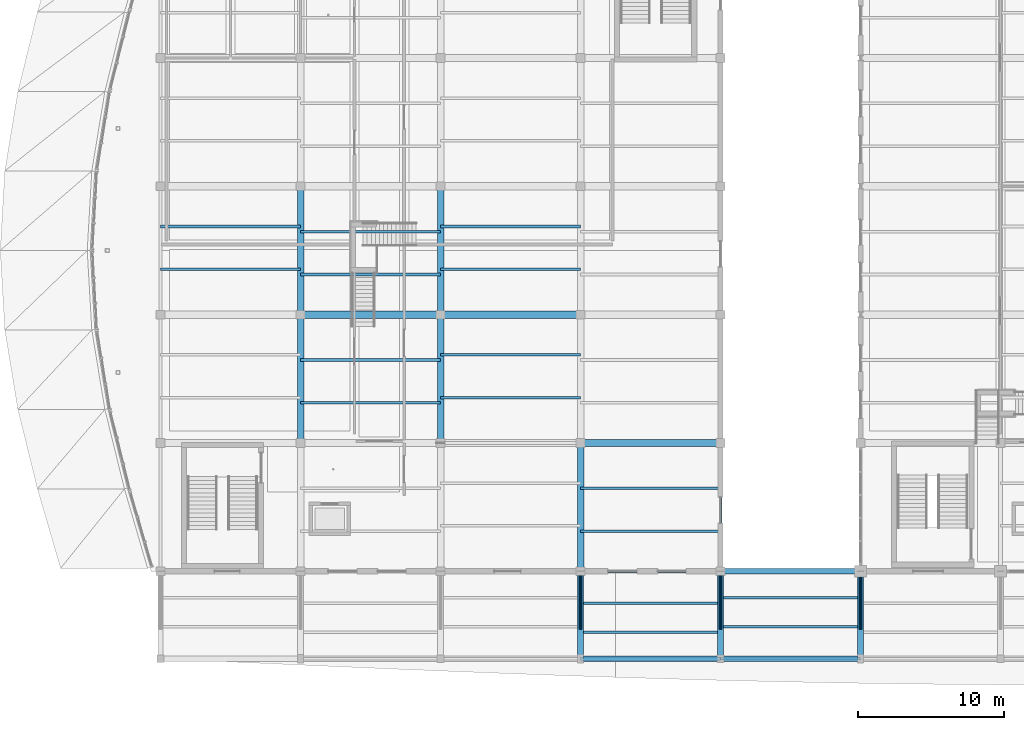
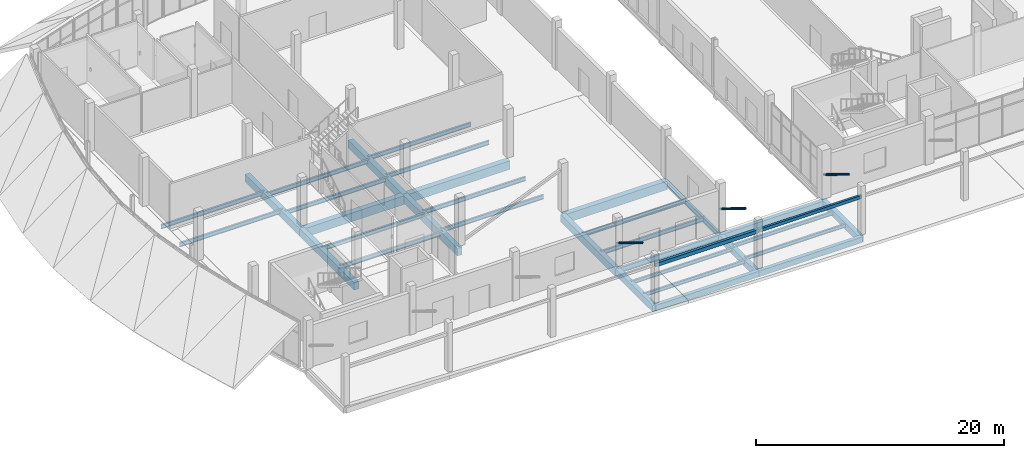
# One storey, part 22 of 116: 34 beams, 3 members.
"""IFC4 building model written with IfcOpenShell, lengths in metres."""

from ifc_helpers import new_model, si_unit, direction, frame, origin, origin_2d, place, context, subcontext, project, spatial, rectangle, hollow_rectangle, hollow_circle, i_section, extrude, material, material_profile, profile_set, type_object, element, save


model = new_model("IFC4")

# Units and contexts
model_context = context("Model", 3, precision=1e-05, world=origin(), true_north=direction((0.0, 1.0)))
body_context = subcontext(model_context, "Body", "Model", "MODEL_VIEW")
ifc_project = project(units=[si_unit("LENGTHUNIT", "METRE"), si_unit("AREAUNIT", "SQUARE_METRE"), si_unit("VOLUMEUNIT", "CUBIC_METRE"), si_unit("PLANEANGLEUNIT", "RADIAN"), si_unit("MASSUNIT", "GRAM", prefix="KILO")], contexts=[model_context])

# Site, building, storey
site_placement = place(None, origin())
site = spatial("IfcSite", under=ifc_project, at=site_placement, CompositionType="ELEMENT")
building_placement = place(site_placement, origin())
building = spatial("IfcBuilding", under=site, at=building_placement, Name="Chalmorin Arch Market", CompositionType="ELEMENT")
storey_placement = place(building_placement, origin())
storey = spatial("IfcBuildingStorey", under=building, at=storey_placement, Name="L00", CompositionType="ELEMENT", Elevation=0.0)

# Beams
ifc_material_1 = material(Name="Concrete C40/50", Category="concrete")
ifc_material_profile_1 = material_profile(ifc_material_1, rectangle(XDim=0.449951171875, YDim=0.75, at=origin_2d()), Name="RC450X750")
ifc_profile_set_1 = profile_set([ifc_material_profile_1], Name="Concrete C40/50")
beam_type_1 = type_object("IfcBeamType", Name="BasementConcreteGirder-450x750", PredefinedType="BEAM", material=ifc_profile_set_1)
beam_1_placement = place(storey_placement, frame((9.60009765625, 14.800048828125, -0.72705078125), z_axis=(0.0, 1.0, 0.0), x_axis=(-1.0, 0.0, 0.0)))
element("IfcBeam", 1, at=beam_1_placement, inside=storey, type_object=beam_type_1, Name="BG-RC2-0207", PredefinedType="BEAM", context=body_context, shape_type="SweptSolid", body=[
    extrude(rectangle(XDim=0.449951171875, YDim=0.75, at=origin_2d()), origin(), (0.0, 0.0, 1.0), 8.800048828125),
])
beam_2_placement = place(storey_placement, frame((9.60009765625, 23.60009765625, -0.72705078125), z_axis=(0.0, 1.0, 0.0), x_axis=(-1.0, 0.0, 0.0)))
element("IfcBeam", 2, at=beam_2_placement, inside=storey, type_object=beam_type_1, Name="BG-RC2-0210", PredefinedType="BEAM", context=body_context, shape_type="SweptSolid", body=[
    extrude(rectangle(XDim=0.449951171875, YDim=0.75, at=origin_2d()), origin(), (0.0, 0.0, 1.0), 8.7998046875),
])
beam_3_placement = place(storey_placement, frame((19.199951171875, 14.800048828125, -0.72705078125), z_axis=(0.0, 1.0, 0.0), x_axis=(-1.0, 0.0, 0.0)))
element("IfcBeam", 3, at=beam_3_placement, inside=storey, type_object=beam_type_1, Name="BG-RC2-0221", PredefinedType="BEAM", context=body_context, shape_type="SweptSolid", body=[
    extrude(rectangle(XDim=0.449951171875, YDim=0.75, at=origin_2d()), origin(), (0.0, 0.0, 1.0), 8.800048828125),
])
beam_4_placement = place(storey_placement, frame((19.199951171875, 23.60009765625, -0.72705078125), z_axis=(0.0, 1.0, 0.0), x_axis=(-1.0, 0.0, 0.0)))
element("IfcBeam", 4, at=beam_4_placement, inside=storey, type_object=beam_type_1, Name="BG-RC2-0223", PredefinedType="BEAM", context=body_context, shape_type="SweptSolid", body=[
    extrude(rectangle(XDim=0.449951171875, YDim=0.75, at=origin_2d()), origin(), (0.0, 0.0, 1.0), 8.7998046875),
])
beam_5_placement = place(storey_placement, frame((28.800048828125, 6.0, -0.72705078125), z_axis=(0.0, 1.0, 0.0), x_axis=(-1.0, 0.0, 0.0)))
element("IfcBeam", 5, at=beam_5_placement, inside=storey, type_object=beam_type_1, Name="BG-RC2-0230", PredefinedType="BEAM", context=body_context, shape_type="SweptSolid", body=[
    extrude(rectangle(XDim=0.449951171875, YDim=0.75, at=origin_2d()), origin(), (0.0, 0.0, 1.0), 8.800048828125),
])

# Members
ifc_material_2 = material(Name="Steel A500 Grade C", Category="steel")
ifc_material_profile_2 = material_profile(ifc_material_2, hollow_circle(Radius=0.109619140625, WallThickness=0.00830078125, at=origin_2d()), Name="CHS219X8")
ifc_profile_set_2 = profile_set([ifc_material_profile_2], Name="Steel A500 Grade C")
member_type = type_object("IfcMemberType", Name="CanopyRakingStrut-CHS219", PredefinedType="STRUT", material=ifc_profile_set_2)
for number, where, z_axis, x_axis, name in (
    (6, (28.800048828125, 6.0, 2.10009765625), (0.0, -0.852698951307, 0.522402621012), (1.0, 0.0, 0.0), "ST-CH219-0004"),
    (7, (38.39990234375, 6.0, 2.10009765625), (0.0, -0.852698951307, 0.522402621012), (1.0, 0.0, 0.0), "ST-CH219-0005"),
    (8, (48.0, 6.0, 2.10009765625), (0.0, -0.852698951307, 0.522402621012), (1.0, 0.0, 0.0), "ST-CH219-0006"),
):
    element("IfcMember", number, at=place(storey_placement, frame(where, z_axis=z_axis, x_axis=x_axis)), inside=storey, type_object=member_type, Name=name, PredefinedType="STRUT", context=body_context, shape_type="SweptSolid", body=[
        extrude(hollow_circle(Radius=0.109619140625, WallThickness=0.00830078125, at=origin_2d()), origin(), (0.0, 0.0, 1.0), 4.63232421875),
    ])

# Beams
ifc_material_profile_3 = material_profile(ifc_material_1, rectangle(XDim=0.39990234375, YDim=0.64990234375, at=origin_2d()), Name="RC400X650")
ifc_profile_set_3 = profile_set([ifc_material_profile_3], Name="Concrete C40/50")
beam_type_2 = type_object("IfcBeamType", Name="MezzanineConcreteBeam-400x650", PredefinedType="BEAM", material=ifc_profile_set_3)
for number, where, z_axis, x_axis, name in (
    (9, (28.800048828125, 0.0, -0.677001953125), (0.0, 1.0, 0.0), (-1.0, 0.0, 0.0), "BM-RC3-0552"),
    (10, (38.39990234375, 0.0, -0.677001953125), (0.0, 1.0, 0.0), (-1.0, 0.0, 0.0), "BM-RC3-0554"),
    (11, (48.0, 0.0, -0.626953125), (0.0, 1.0, 0.0), (-1.0, 0.0, 0.0), "BM-RC3-0557"),
):
    element("IfcBeam", number, at=place(storey_placement, frame(where, z_axis=z_axis, x_axis=x_axis)), inside=storey, type_object=beam_type_2, Name=name, PredefinedType="BEAM", context=body_context, shape_type="SweptSolid", body=[
        extrude(rectangle(XDim=0.39990234375, YDim=0.64990234375, at=origin_2d()), origin(), (0.0, 0.0, 1.0), 6.0),
    ])
ifc_material_profile_4 = material_profile(ifc_material_2, hollow_rectangle(XDim=0.203125, YDim=0.3046875, WallThickness=0.01171875, at=origin_2d()), Name="HSS12X8X1/2")
ifc_profile_set_4 = profile_set([ifc_material_profile_4], Name="Steel A500 Grade C")
beam_type_3 = type_object("IfcBeamType", Name="OpeningLintelBeam-HSS12X8", PredefinedType="LINTEL", material=ifc_profile_set_4)
beam_6_placement = place(storey_placement, frame((38.39990234375, 0.0, 3.60009765625), z_axis=(1.0, 0.0, 0.0), x_axis=(0.0, 1.0, 0.0)))
element("IfcBeam", 12, at=beam_6_placement, inside=storey, type_object=beam_type_3, Name="LN-02-1760", PredefinedType="LINTEL", context=body_context, shape_type="SweptSolid", body=[
    extrude(hollow_rectangle(XDim=0.203125, YDim=0.3046875, WallThickness=0.01171875, at=origin_2d()), origin(), (0.0, 0.0, 1.0), 9.60009765625),
])
ifc_material_3 = material(Name="Steel A992 Grade 50", Category="steel")
ifc_material_profile_5 = material_profile(ifc_material_3, i_section(OverallWidth=0.208984375, OverallDepth=0.532958984375, WebThickness=0.01025390625, FlangeThickness=0.015625, FilletRadius=0.02197265625, at=origin_2d()), Name="W21X62")
ifc_profile_set_5 = profile_set([ifc_material_profile_5], Name="Steel A992 Grade 50")
beam_type_4 = type_object("IfcBeamType", Name="PerimeterSpandrelBeam-W21X62", PredefinedType="SPANDREL", material=ifc_profile_set_5)
beam_7_placement = place(storey_placement, frame((28.800048828125, 6.0, -0.618408203125), z_axis=(1.0, 0.0, 0.0), x_axis=(0.0, 1.0, 0.0)))
element("IfcBeam", 13, at=beam_7_placement, inside=storey, type_object=beam_type_4, Name="SP-W21-0239", PredefinedType="SPANDREL", context=body_context, shape_type="SweptSolid", body=[
    extrude(i_section(OverallWidth=0.208984375, OverallDepth=0.532958984375, WebThickness=0.01025390625, FlangeThickness=0.015625, FilletRadius=0.02197265625, at=origin_2d()), origin(), (0.0, 0.0, 1.0), 9.599853515625),
])
beam_8_placement = place(storey_placement, frame((38.39990234375, 6.0, -0.618408203125), z_axis=(0.0, 1.0, 0.0), x_axis=(-1.0, 0.0, 0.0)))
element("IfcBeam", 14, at=beam_8_placement, inside=storey, type_object=beam_type_4, Name="SP-W21-0241", PredefinedType="SPANDREL", context=body_context, shape_type="SweptSolid", body=[
    extrude(i_section(OverallWidth=0.208984375, OverallDepth=0.532958984375, WebThickness=0.01025390625, FlangeThickness=0.015625, FilletRadius=0.02197265625, at=origin_2d()), origin(), (0.0, 0.0, 1.0), 8.800048828125),
])
ifc_material_profile_6 = material_profile(ifc_material_1, rectangle(XDim=0.5, YDim=0.85009765625, at=origin_2d()), Name="RC500X850")
ifc_profile_set_6 = profile_set([ifc_material_profile_6], Name="Concrete C40/50")
beam_type_5 = type_object("IfcBeamType", Name="PlinthConcreteGirder-500x850", PredefinedType="BEAM", material=ifc_profile_set_6)
beam_9_placement = place(storey_placement, frame((9.60009765625, 23.60009765625, -0.777099609375), z_axis=(1.0, 0.0, 0.0), x_axis=(0.0, 1.0, 0.0)))
element("IfcBeam", 15, at=beam_9_placement, inside=storey, type_object=beam_type_5, Name="BG-RC1-0220", PredefinedType="BEAM", context=body_context, shape_type="SweptSolid", body=[
    extrude(rectangle(XDim=0.5, YDim=0.85009765625, at=origin_2d()), origin(), (0.0, 0.0, 1.0), 9.599853515625),
])
beam_10_placement = place(storey_placement, frame((19.199951171875, 23.60009765625, -0.777099609375), z_axis=(1.0, 0.0, 0.0), x_axis=(0.0, 1.0, 0.0)))
element("IfcBeam", 16, at=beam_10_placement, inside=storey, type_object=beam_type_5, Name="BG-RC1-0231", PredefinedType="BEAM", context=body_context, shape_type="SweptSolid", body=[
    extrude(rectangle(XDim=0.5, YDim=0.85009765625, at=origin_2d()), origin(), (0.0, 0.0, 1.0), 9.60009765625),
])
beam_11_placement = place(storey_placement, frame((28.800048828125, 14.800048828125, -0.777099609375), z_axis=(1.0, 0.0, 0.0), x_axis=(0.0, 1.0, 0.0)))
element("IfcBeam", 17, at=beam_11_placement, inside=storey, type_object=beam_type_5, Name="BG-RC1-0240", PredefinedType="BEAM", context=body_context, shape_type="SweptSolid", body=[
    extrude(rectangle(XDim=0.5, YDim=0.85009765625, at=origin_2d()), origin(), (0.0, 0.0, 1.0), 9.599853515625),
])
ifc_material_profile_7 = material_profile(ifc_material_2, hollow_rectangle(XDim=0.25390625, YDim=0.355712890625, WallThickness=0.01171875, at=origin_2d()), Name="HSS14X10X1/2")
ifc_profile_set_7 = profile_set([ifc_material_profile_7], Name="Steel A500 Grade C")
beam_type_6 = type_object("IfcBeamType", Name="PortalLintelBeam-HSS14X10", PredefinedType="LINTEL", material=ifc_profile_set_7)
beam_12_placement = place(storey_placement, frame((28.800048828125, 0.0, 3.60009765625), z_axis=(1.0, 0.0, 0.0), x_axis=(0.0, 1.0, 0.0)))
element("IfcBeam", 18, at=beam_12_placement, inside=storey, type_object=beam_type_6, Name="LN-04-1759", PredefinedType="LINTEL", context=body_context, shape_type="SweptSolid", body=[
    extrude(hollow_rectangle(XDim=0.25390625, YDim=0.355712890625, WallThickness=0.01171875, at=origin_2d()), origin(), (0.0, 0.0, 1.0), 9.599853515625),
])
ifc_material_profile_8 = material_profile(ifc_material_3, i_section(OverallWidth=0.1708984375, OverallDepth=0.35107421875, WebThickness=0.0068359375, FlangeThickness=0.009765625, FilletRadius=0.014892578125, at=origin_2d()), Name="W14X30")
ifc_profile_set_8 = profile_set([ifc_material_profile_8], Name="Steel A992 Grade 50")
beam_type_7 = type_object("IfcBeamType", Name="SecondaryFloorJoist-W14X30", PredefinedType="JOIST", material=ifc_profile_set_8)
for number, where, z_axis, x_axis, name in (
    (19, (28.800048828125, 1.820068359375, -0.4775390625), (1.0, 0.0, 0.0), (0.0, 1.0, 0.0), "BJ-W14-0580"),
    (20, (28.800048828125, 3.820068359375, -0.4775390625), (1.0, 0.0, 0.0), (0.0, 1.0, 0.0), "BJ-W14-0581"),
):
    element("IfcBeam", number, at=place(storey_placement, frame(where, z_axis=z_axis, x_axis=x_axis)), inside=storey, type_object=beam_type_7, Name=name, PredefinedType="JOIST", context=body_context, shape_type="SweptSolid", body=[
        extrude(i_section(OverallWidth=0.1708984375, OverallDepth=0.35107421875, WebThickness=0.0068359375, FlangeThickness=0.009765625, FilletRadius=0.014892578125, at=origin_2d()), origin(), (0.0, 0.0, 1.0), 9.599853515625),
    ])
for number, where, z_axis, x_axis, name in (
    (21, (38.39990234375, 2.179931640625, -0.4775390625), (1.0, 0.0, 0.0), (0.0, 1.0, 0.0), "BJ-W14-0582"),
    (22, (38.39990234375, 4.179931640625, -0.4775390625), (1.0, 0.0, 0.0), (0.0, 1.0, 0.0), "BJ-W14-0583"),
):
    element("IfcBeam", number, at=place(storey_placement, frame(where, z_axis=z_axis, x_axis=x_axis)), inside=storey, type_object=beam_type_7, Name=name, PredefinedType="JOIST", context=body_context, shape_type="SweptSolid", body=[
        extrude(i_section(OverallWidth=0.1708984375, OverallDepth=0.35107421875, WebThickness=0.0068359375, FlangeThickness=0.009765625, FilletRadius=0.014892578125, at=origin_2d()), origin(), (0.0, 0.0, 1.0), 9.60009765625),
    ])
ifc_material_profile_9 = material_profile(ifc_material_3, i_section(OverallWidth=0.177978515625, OverallDepth=0.403076171875, WebThickness=0.007568359375, FlangeThickness=0.010986328125, FilletRadius=0.01806640625, at=origin_2d()), Name="W16X36")
ifc_profile_set_9 = profile_set([ifc_material_profile_9], Name="Steel A992 Grade 50")
beam_type_8 = type_object("IfcBeamType", Name="SecondaryFloorJoist-W16X36", PredefinedType="JOIST", material=ifc_profile_set_9)
for number, where, z_axis, x_axis, name in (
    (23, (0.0, 26.71337890625, -0.553466796875), (1.0, 0.0, 0.0), (0.0, 1.0, 0.0), "BJ-W16B-0252"),
    (24, (0.0, 29.646728515625, -0.553466796875), (1.0, 0.0, 0.0), (0.0, 1.0, 0.0), "BJ-W16B-0253"),
):
    element("IfcBeam", number, at=place(storey_placement, frame(where, z_axis=z_axis, x_axis=x_axis)), inside=storey, type_object=beam_type_8, Name=name, PredefinedType="JOIST", context=body_context, shape_type="SweptSolid", body=[
        extrude(i_section(OverallWidth=0.177978515625, OverallDepth=0.403076171875, WebThickness=0.007568359375, FlangeThickness=0.010986328125, FilletRadius=0.01806640625, at=origin_2d()), origin(), (0.0, 0.0, 1.0), 9.60009765625),
    ])
for number, where, z_axis, x_axis, name in (
    (25, (9.60009765625, 17.55322265625, -0.553466796875), (1.0, 0.0, 0.0), (0.0, 1.0, 0.0), "BJ-W16B-0260"),
    (26, (9.60009765625, 20.48681640625, -0.553466796875), (1.0, 0.0, 0.0), (0.0, 1.0, 0.0), "BJ-W16B-0261"),
    (27, (9.60009765625, 26.353271484375, -0.553466796875), (1.0, 0.0, 0.0), (0.0, 1.0, 0.0), "BJ-W16B-0262"),
    (28, (9.60009765625, 29.28662109375, -0.553466796875), (1.0, 0.0, 0.0), (0.0, 1.0, 0.0), "BJ-W16B-0263"),
):
    element("IfcBeam", number, at=place(storey_placement, frame(where, z_axis=z_axis, x_axis=x_axis)), inside=storey, type_object=beam_type_8, Name=name, PredefinedType="JOIST", context=body_context, shape_type="SweptSolid", body=[
        extrude(i_section(OverallWidth=0.177978515625, OverallDepth=0.403076171875, WebThickness=0.007568359375, FlangeThickness=0.010986328125, FilletRadius=0.01806640625, at=origin_2d()), origin(), (0.0, 0.0, 1.0), 9.599853515625),
    ])
for number, where, z_axis, x_axis, name in (
    (29, (19.199951171875, 17.913330078125, -0.553466796875), (1.0, 0.0, 0.0), (0.0, 1.0, 0.0), "BJ-W16B-0270"),
    (30, (19.199951171875, 20.8466796875, -0.553466796875), (1.0, 0.0, 0.0), (0.0, 1.0, 0.0), "BJ-W16B-0271"),
    (31, (19.199951171875, 26.71337890625, -0.553466796875), (1.0, 0.0, 0.0), (0.0, 1.0, 0.0), "BJ-W16B-0272"),
    (32, (19.199951171875, 29.646728515625, -0.553466796875), (1.0, 0.0, 0.0), (0.0, 1.0, 0.0), "BJ-W16B-0273"),
):
    element("IfcBeam", number, at=place(storey_placement, frame(where, z_axis=z_axis, x_axis=x_axis)), inside=storey, type_object=beam_type_8, Name=name, PredefinedType="JOIST", context=body_context, shape_type="SweptSolid", body=[
        extrude(i_section(OverallWidth=0.177978515625, OverallDepth=0.403076171875, WebThickness=0.007568359375, FlangeThickness=0.010986328125, FilletRadius=0.01806640625, at=origin_2d()), origin(), (0.0, 0.0, 1.0), 9.60009765625),
    ])
for number, where, z_axis, x_axis, name in (
    (33, (28.800048828125, 8.75341796875, -0.553466796875), (1.0, 0.0, 0.0), (0.0, 1.0, 0.0), "BJ-W16B-0278"),
    (34, (28.800048828125, 11.686767578125, -0.553466796875), (1.0, 0.0, 0.0), (0.0, 1.0, 0.0), "BJ-W16B-0279"),
):
    element("IfcBeam", number, at=place(storey_placement, frame(where, z_axis=z_axis, x_axis=x_axis)), inside=storey, type_object=beam_type_8, Name=name, PredefinedType="JOIST", context=body_context, shape_type="SweptSolid", body=[
        extrude(i_section(OverallWidth=0.177978515625, OverallDepth=0.403076171875, WebThickness=0.007568359375, FlangeThickness=0.010986328125, FilletRadius=0.01806640625, at=origin_2d()), origin(), (0.0, 0.0, 1.0), 9.599853515625),
    ])
ifc_material_profile_10 = material_profile(ifc_material_1, rectangle(XDim=0.35009765625, YDim=0.550048828125, at=origin_2d()), Name="RC350X550")
ifc_profile_set_10 = profile_set([ifc_material_profile_10], Name="Concrete C40/50")
beam_type_9 = type_object("IfcBeamType", Name="TerraceEdgeBeam-350x550", PredefinedType="SPANDREL", material=ifc_profile_set_10)
beam_13_placement = place(storey_placement, frame((28.800048828125, 0.0, -0.576904296875), z_axis=(1.0, 0.0, 0.0), x_axis=(0.0, 1.0, 0.0)))
element("IfcBeam", 35, at=beam_13_placement, inside=storey, type_object=beam_type_9, Name="SP-RC1-0553", PredefinedType="SPANDREL", context=body_context, shape_type="SweptSolid", body=[
    extrude(rectangle(XDim=0.35009765625, YDim=0.550048828125, at=origin_2d()), origin(), (0.0, 0.0, 1.0), 9.599853515625),
])
for number, where, z_axis, x_axis, name in (
    (36, (38.39990234375, 0.0, -0.576904296875), (1.0, 0.0, 0.0), (0.0, 1.0, 0.0), "SP-RC1-0555"),
    (37, (38.39990234375, 6.0, -0.626953125), (1.0, 0.0, 0.0), (0.0, 1.0, 0.0), "SP-RC1-0556"),
):
    element("IfcBeam", number, at=place(storey_placement, frame(where, z_axis=z_axis, x_axis=x_axis)), inside=storey, type_object=beam_type_9, Name=name, PredefinedType="SPANDREL", context=body_context, shape_type="SweptSolid", body=[
        extrude(rectangle(XDim=0.35009765625, YDim=0.550048828125, at=origin_2d()), origin(), (0.0, 0.0, 1.0), 9.60009765625),
    ])

save(model, "model.ifc")
